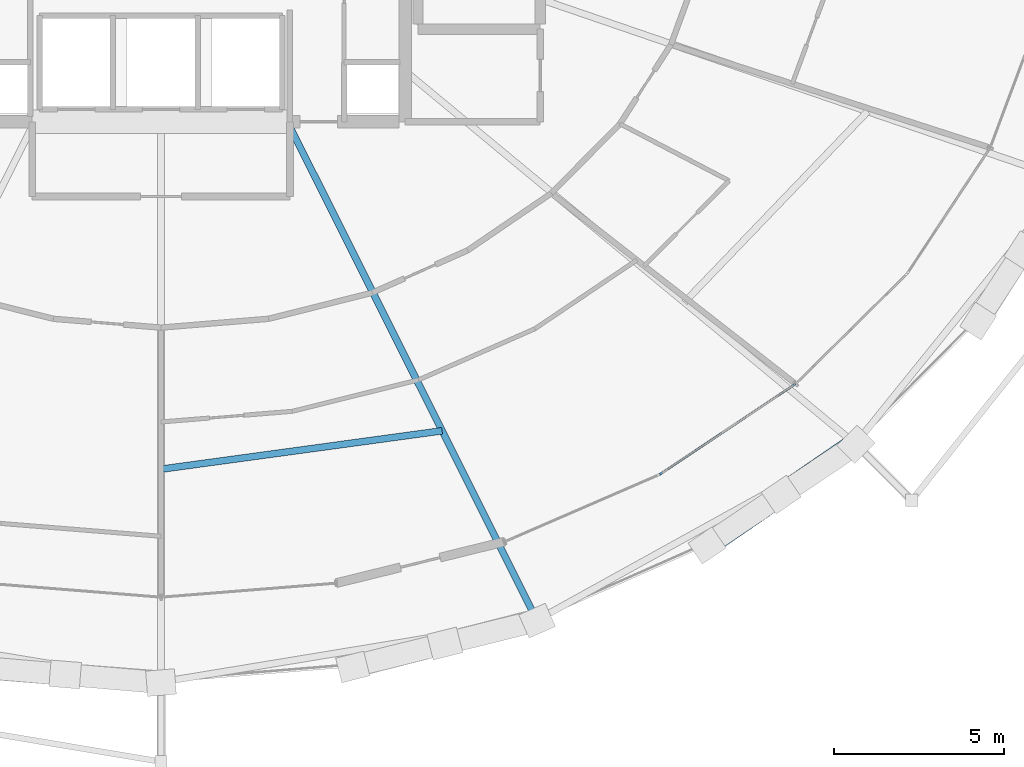
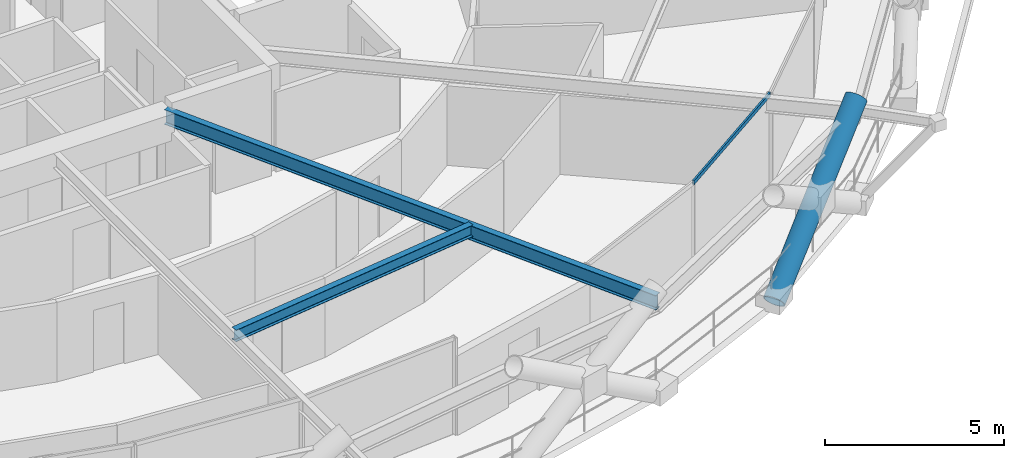
# One storey, part 7 of 20: 2 beams, 2 members, 1 element without a shape of its own.
"""IFC4 building model written with IfcOpenShell, lengths in metres."""

from ifc_helpers import new_model, si_unit, direction, frame, origin, origin_2d, place, context, subcontext, project, spatial, hollow_rectangle, hollow_circle, i_section, extrude, material, layer, layer_set, material_profile, profile_set, type_object, element, aggregate, save


model = new_model("IFC4")

# Units and contexts
model_context = context("Model", 3, precision=1e-05, world=origin(), true_north=direction((0.0, 1.0)))
body_context = subcontext(model_context, "Body", "Model", "MODEL_VIEW")
ifc_project = project(units=[si_unit("LENGTHUNIT", "METRE"), si_unit("AREAUNIT", "SQUARE_METRE"), si_unit("VOLUMEUNIT", "CUBIC_METRE"), si_unit("PLANEANGLEUNIT", "RADIAN"), si_unit("MASSUNIT", "GRAM", prefix="KILO")], contexts=[model_context])

# Site, building, storey
site_placement = place(None, origin())
site = spatial("IfcSite", under=ifc_project, at=site_placement, CompositionType="ELEMENT")
building_placement = place(site_placement, origin())
building = spatial("IfcBuilding", under=site, at=building_placement, Name="Veldorina Hangang Commons", CompositionType="ELEMENT")
storey_placement = place(building_placement, frame((0.0, 0.0, 84.39990234375)))
storey = spatial("IfcBuildingStorey", under=building, at=storey_placement, Name="L21", CompositionType="ELEMENT", Elevation=84.39990234375)

# Beams
ifc_material_1 = material(Name="Steel SM420-TMC", Category="steel")
ifc_material_profile_1 = material_profile(ifc_material_1, i_section(OverallWidth=0.199951171875, OverallDepth=0.5, WebThickness=0.010009765625, FlangeThickness=0.01611328125, FilletRadius=0.01611328125, at=origin_2d()), Name="H-500x200x10x16")
ifc_profile_set_1 = profile_set([ifc_material_profile_1], Name="Steel SM420-TMC")
beam_type_1 = type_object("IfcBeamType", Name="BM-FG500", PredefinedType="BEAM", material=ifc_profile_set_1)
beam_1_placement = place(storey_placement, frame((35.727783203125, 16.550048828125, 3.090087890625), z_axis=(0.447492903879, -0.894287482289, 0.0), x_axis=(0.894287482289, 0.447492903879, 0.0)))
element("IfcBeam", 1, at=beam_1_placement, inside=storey, type_object=beam_type_1, Name="L21 radial floor girder 14", PredefinedType="BEAM", context=body_context, shape_type="SweptSolid", body=[
    extrude(i_section(OverallWidth=0.199951171875, OverallDepth=0.5, WebThickness=0.010009765625, FlangeThickness=0.01611328125, FilletRadius=0.01611328125, at=origin_2d()), origin(), (0.0, 0.0, 1.0), 16.431640625),
])
ifc_material_2 = material(Name="Steel SM355-TMC", Category="steel")
ifc_material_profile_2 = material_profile(ifc_material_2, i_section(OverallWidth=0.199951171875, OverallDepth=0.39990234375, WebThickness=0.008056640625, FlangeThickness=0.012939453125, FilletRadius=0.012939453125, at=origin_2d()), Name="H-400x200x8x13")
ifc_profile_set_2 = profile_set([ifc_material_profile_2], Name="Steel SM355-TMC")
beam_type_2 = type_object("IfcBeamType", Name="BM-JST400", PredefinedType="JOIST", material=ifc_profile_set_2)
beam_2_placement = place(storey_placement, frame((32.0, 6.30810546875, 3.14013671875), z_axis=(0.990812929899, 0.135239557618, 0.0), x_axis=(-0.135239557618, 0.990812929899, 0.0)))
element("IfcBeam", 2, at=beam_2_placement, inside=storey, type_object=beam_type_2, Name="L21 secondary floor joist 13", PredefinedType="JOIST", context=body_context, shape_type="SweptSolid", body=[
    extrude(i_section(OverallWidth=0.199951171875, OverallDepth=0.39990234375, WebThickness=0.008056640625, FlangeThickness=0.012939453125, FilletRadius=0.012939453125, at=origin_2d()), origin(), (0.0, 0.0, 1.0), 8.36376953125),
])

# Curtain wall, member
ifc_material_3 = material(Name="Glass Low-E Triple IGU", Category="glass")
ifc_layer = layer(ifc_material_3, 0.179931640625)
ifc_layer_set = layer_set([ifc_layer], Name="Glass Low-E Triple IGU")
curtain_wall_type = type_object("IfcCurtainWallType", Name="CW-SYS-Z1", PredefinedType="NOTDEFINED", material=ifc_layer_set)
curtain_wall_placement = place(storey_placement, origin())
curtain_wall = element("IfcCurtainWall", 3, at=curtain_wall_placement, inside=storey, type_object=curtain_wall_type, Name="L21 unitised curtain wall CW-L21-R2", PredefinedType="NOTDEFINED")
ifc_material_4 = material(Name="Aluminium Anodized AA6063-T6", Category="aluminium")
ifc_material_profile_3 = material_profile(ifc_material_4, hollow_rectangle(XDim=0.06005859375, YDim=0.139892578125, WallThickness=0.00341796875, at=origin_2d()), Name="ALU-RHS-140x60x3.5")
ifc_profile_set_3 = profile_set([ifc_material_profile_3], Name="Aluminium Anodized AA6063-T6")
member_type_1 = type_object("IfcMemberType", Name="CW-TRN-140", PredefinedType="USERDEFINED", material=ifc_profile_set_3)
member_1_placement = place(storey_placement, frame((46.69970703125, 6.15234375, 3.260009765625), z_axis=(0.83239323095, 0.55418544646, 0.0), x_axis=(-0.55418544646, 0.83239323095, 0.0)))
member_1 = element("IfcMember", 4, at=member_1_placement, type_object=member_type_1, Name="CW-L21-R2 facet 2 transom 1", ObjectType="TRANSOM", PredefinedType="USERDEFINED", context=body_context, shape_type="SweptSolid", body=[
    extrude(hollow_rectangle(XDim=0.06005859375, YDim=0.139892578125, WallThickness=0.00341796875, at=origin_2d()), origin(), (0.0, 0.0, 1.0), 4.81689453125),
])
aggregate(curtain_wall, [member_1])

# Member
ifc_material_5 = material(Name="Steel SM460-TMC", Category="steel")
ifc_material_profile_4 = material_profile(ifc_material_5, hollow_circle(Radius=0.324951171875, WallThickness=0.031982421875, at=origin_2d()), Name="CHS-650x32")
ifc_profile_set_4 = profile_set([ifc_material_profile_4], Name="Steel SM460-TMC")
member_type_2 = type_object("IfcMemberType", Name="DG-CHS650", PredefinedType="BRACE", material=ifc_profile_set_4)
member_2_placement = place(storey_placement, frame((48.099853515625, 4.056884765625, 0.0), z_axis=(0.682355599317, 0.46764296797, 0.561872664034), x_axis=(-0.565316186681, 0.824874298955, 0.0)))
element("IfcMember", 5, at=member_2_placement, inside=storey, type_object=member_type_2, Name="L21 continuous perimeter diagrid brace 27", PredefinedType="BRACE", context=body_context, shape_type="SweptSolid", body=[
    extrude(hollow_circle(Radius=0.324951171875, WallThickness=0.031982421875, at=origin_2d()), origin(), (0.0, 0.0, 1.0), 6.4072265625),
])

save(model, "model.ifc")
